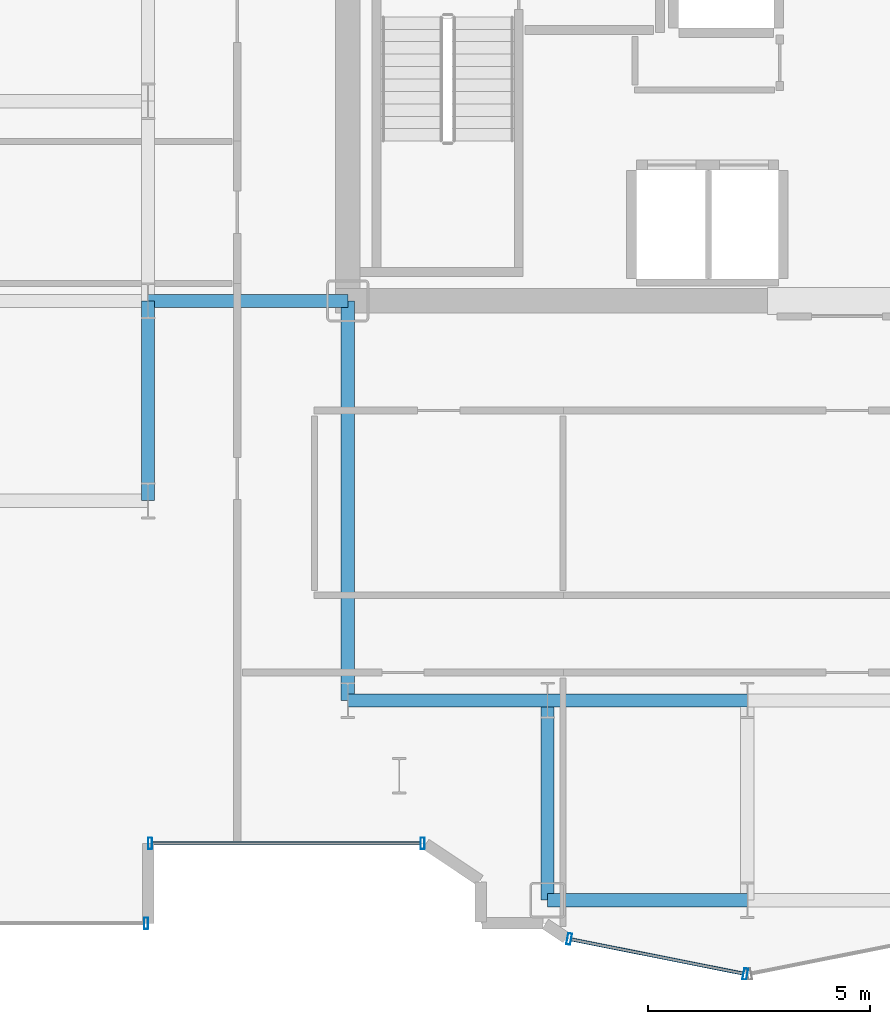
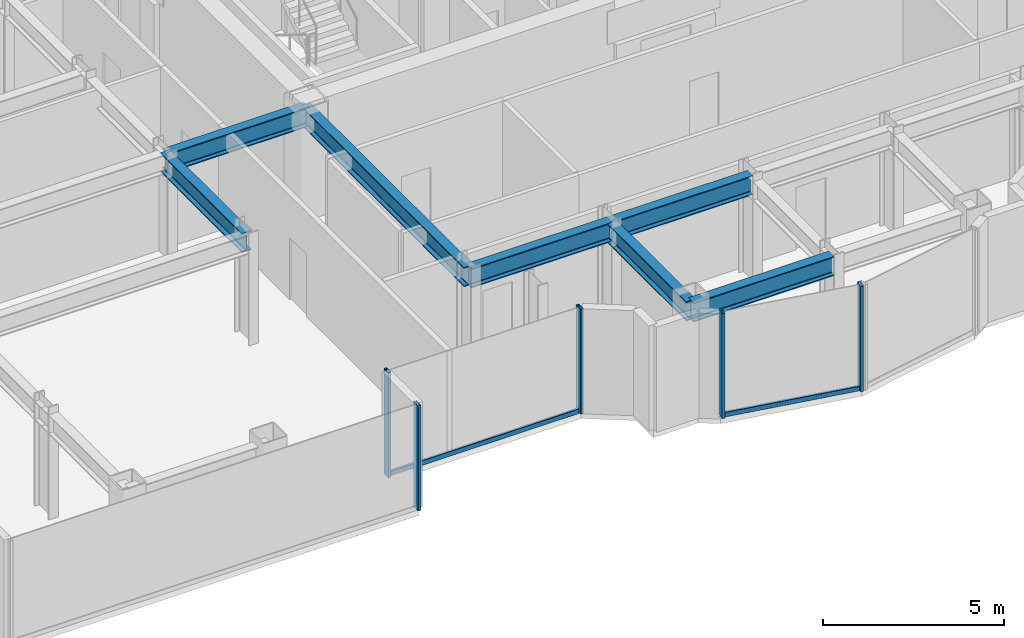
# One storey, part 5 of 27: 7 beams, 7 members, 3 elements without a shape of their own.
"""IFC4 building model written with IfcOpenShell, lengths in metres."""

from ifc_helpers import new_model, si_unit, direction, frame, origin, origin_2d, place, context, subcontext, project, spatial, hollow_rectangle, i_section, extrude, source, transform, mapped, material, layer, layer_set, material_profile, profile_set, type_object, element, aggregate, save


model = new_model("IFC4")

# Units and contexts
model_context = context("Model", 3, precision=1e-05, world=origin(), true_north=direction((0.0, 1.0)))
body_context = subcontext(model_context, "Body", "Model", "MODEL_VIEW")
ifc_project = project(units=[si_unit("LENGTHUNIT", "METRE"), si_unit("AREAUNIT", "SQUARE_METRE"), si_unit("VOLUMEUNIT", "CUBIC_METRE"), si_unit("PLANEANGLEUNIT", "RADIAN"), si_unit("MASSUNIT", "GRAM", prefix="KILO")], contexts=[model_context])

# Site, building, storey
site_placement = place(None, origin())
site = spatial("IfcSite", under=ifc_project, at=site_placement, CompositionType="ELEMENT")
building_placement = place(site_placement, origin())
building = spatial("IfcBuilding", under=site, at=building_placement, Name="Nefas-Gora Pilgrimage Tower", CompositionType="ELEMENT")
storey_placement = place(building_placement, frame((0.0, 0.0, 183.0)))
storey = spatial("IfcBuildingStorey", under=building, at=storey_placement, Name="L45", CompositionType="ELEMENT", Elevation=183.0)

# Beams
ifc_material_1 = material(Name="Steel S355", Category="steel")
ifc_material_profile_1 = material_profile(ifc_material_1, i_section(OverallWidth=0.300048828125, OverallDepth=0.64990234375, WebThickness=0.01611328125, FlangeThickness=0.031005859375, FilletRadius=0.027099609375, at=origin_2d()), Name="HEB 650")
ifc_profile_set_1 = profile_set([ifc_material_profile_1], Name="Steel S355")
beam_type = type_object("IfcBeamType", Name="BM-GIR-HEB650", PredefinedType="BEAM", material=ifc_profile_set_1)
shared_shape_1 = source(origin(), body_context, "Body", "SweptSolid", [
    extrude(i_section(OverallWidth=0.300048828125, OverallDepth=0.64990234375, WebThickness=0.01611328125, FlangeThickness=0.031005859375, FilletRadius=0.027099609375, at=origin_2d()), origin(), (0.0, 0.0, 1.0), 9.0),
])
beam_placement = place(storey_placement, frame((-11.25, -18.0, 3.22509765625), z_axis=(0.0, 1.0, 0.0), x_axis=(-1.0, 0.0, 0.0)))
element("IfcBeam", 1, at=beam_placement, inside=storey, type_object=beam_type, Name="L45 G-03 beam", PredefinedType="BEAM", context=body_context, shape_type="MappedRepresentation", body=[
    mapped(shared_shape_1, transform((0.0, 0.0, 0.0), x_axis=(1.0, 0.0, 0.0), y_axis=(0.0, 1.0, 0.0), z_axis=(0.0, 0.0, 1.0), scale=1.0)),
])
shared_shape_2 = source(origin(), body_context, "Body", "SweptSolid", [
    extrude(i_section(OverallWidth=0.300048828125, OverallDepth=0.64990234375, WebThickness=0.01611328125, FlangeThickness=0.031005859375, FilletRadius=0.027099609375, at=origin_2d()), origin(), (0.0, 0.0, 1.0), 4.5),
])
for number, where, z_axis, x_axis, name in (
    (2, (-15.75, -13.5, 3.22509765625), (0.0, 1.0, 0.0), (-1.0, 0.0, 0.0), "L45 G-03 beam"),
    (3, (-15.75, -9.0, 3.22509765625), (1.0, 0.0, 0.0), (0.0, 1.0, 0.0), "L45 G-03 beam"),
    (4, (-11.25, -18.0, 3.22509765625), (1.0, 0.0, 0.0), (0.0, 1.0, 0.0), "L45 G-03 beam"),
    (5, (-6.75, -22.5, 3.22509765625), (0.0, 1.0, 0.0), (-1.0, 0.0, 0.0), "L45 G-03 beam"),
    (6, (-6.75, -22.5, 3.22509765625), (1.0, 0.0, 0.0), (0.0, 1.0, 0.0), "L45 G-03 beam"),
    (7, (-6.75, -18.0, 3.22509765625), (1.0, 0.0, 0.0), (0.0, 1.0, 0.0), "L45 G-03 beam"),
):
    element("IfcBeam", number, at=place(storey_placement, frame(where, z_axis=z_axis, x_axis=x_axis)), inside=storey, type_object=beam_type, Name=name, PredefinedType="BEAM", context=body_context, shape_type="MappedRepresentation", body=[
        mapped(shared_shape_2, transform((0.0, 0.0, 0.0), x_axis=(1.0, 0.0, 0.0), y_axis=(0.0, 1.0, 0.0), z_axis=(0.0, 0.0, 1.0), scale=1.0)),
    ])

# Curtain wall, members
ifc_material_2 = material(Name="Dark ceramic-fritted solar-control aluminium-glass curtain wall", Category="aluminium")
ifc_layer_1 = layer(ifc_material_2, 0.219970703125)
ifc_layer_set_1 = layer_set([ifc_layer_1], Name="Dark ceramic-fritted solar-control aluminium-glass curtain wall")
curtain_wall_type_1 = type_object("IfcCurtainWallType", Name="CW-SYS-5", PredefinedType="NOTDEFINED", material=ifc_layer_set_1)
curtain_wall_1_placement = place(storey_placement, origin())
curtain_wall_1 = element("IfcCurtainWall", 8, at=curtain_wall_1_placement, inside=storey, type_object=curtain_wall_type_1, Name="L45 Unitised Curtain Wall CW5", PredefinedType="NOTDEFINED")
ifc_material_3 = material(Name="Anodised architectural aluminium", Category="aluminium")
ifc_material_profile_2 = material_profile(ifc_material_3, hollow_rectangle(XDim=0.090087890625, YDim=0.260009765625, WallThickness=0.006103515625, InnerFilletRadius=0.006103515625, OuterFilletRadius=0.011962890625, at=origin_2d()), Name="ALU MULLION 90x260")
ifc_profile_set_2 = profile_set([ifc_material_profile_2], Name="Anodised architectural aluminium")
member_type_1 = type_object("IfcMemberType", Name="CWM-MUL-5", PredefinedType="MULLION", material=ifc_profile_set_2)
shared_shape_3 = source(origin(), body_context, "Body", "SweptSolid", [
    extrude(hollow_rectangle(XDim=0.090087890625, YDim=0.260009765625, WallThickness=0.006103515625, InnerFilletRadius=0.006103515625, OuterFilletRadius=0.011962890625, at=origin_2d()), origin(), (0.0, 0.0, 1.0), 3.550048828125),
])
member_1_placement = place(storey_placement, frame((-15.705078125, -21.219970703125, 0.0), z_axis=(0.0, 0.0, 1.0), x_axis=(1.0, 0.0, 0.0)))
member_1 = element("IfcMember", 9, at=member_1_placement, type_object=member_type_1, Name="CW5 Mullion 1", PredefinedType="MULLION", context=body_context, shape_type="MappedRepresentation", body=[
    mapped(shared_shape_3, transform((0.0, 0.0, 0.0), x_axis=(1.0, 0.0, 0.0), y_axis=(0.0, 1.0, 0.0), z_axis=(0.0, 0.0, 1.0), scale=1.0)),
])
member_2_placement = place(storey_placement, frame((-9.56298828125, -21.219970703125, 0.0), z_axis=(0.0, 0.0, 1.0), x_axis=(1.0, 0.0, 0.0)))
member_2 = element("IfcMember", 10, at=member_2_placement, type_object=member_type_1, Name="CW5 Mullion 2", PredefinedType="MULLION", context=body_context, shape_type="MappedRepresentation", body=[
    mapped(shared_shape_3, transform((0.0, 0.0, 0.0), x_axis=(1.0, 0.0, 0.0), y_axis=(0.0, 1.0, 0.0), z_axis=(0.0, 0.0, 1.0), scale=1.0)),
])

curtain_wall_2_placement = place(storey_placement, origin())
curtain_wall_2 = element("IfcCurtainWall", 11, at=curtain_wall_2_placement, inside=storey, type_object=curtain_wall_type_1, Name="L45 Unitised Curtain Wall CW5", PredefinedType="NOTDEFINED")
member_3_placement = place(storey_placement, frame((-6.26318359375, -23.3740234375, 0.0), z_axis=(0.0, 0.0, 1.0), x_axis=(0.980782896852, -0.195102304554, 0.0)))
member_3 = element("IfcMember", 12, at=member_3_placement, type_object=member_type_1, Name="CW5 Mullion 1", PredefinedType="MULLION", context=body_context, shape_type="MappedRepresentation", body=[
    mapped(shared_shape_3, transform((0.0, 0.0, 0.0), x_axis=(1.0, 0.0, 0.0), y_axis=(0.0, 1.0, 0.0), z_axis=(0.0, 0.0, 1.0), scale=1.0)),
])
member_4_placement = place(storey_placement, frame((-2.294189453125, -24.16357421875, 0.0), z_axis=(0.0, 0.0, 1.0), x_axis=(0.980782896852, -0.195102304554, 0.0)))
member_4 = element("IfcMember", 13, at=member_4_placement, type_object=member_type_1, Name="CW5 Mullion 2", PredefinedType="MULLION", context=body_context, shape_type="MappedRepresentation", body=[
    mapped(shared_shape_3, transform((0.0, 0.0, 0.0), x_axis=(1.0, 0.0, 0.0), y_axis=(0.0, 1.0, 0.0), z_axis=(0.0, 0.0, 1.0), scale=1.0)),
])

# Member
ifc_material_profile_3 = material_profile(ifc_material_3, hollow_rectangle(XDim=0.080078125, YDim=0.159912109375, WallThickness=0.00439453125, InnerFilletRadius=0.00439453125, OuterFilletRadius=0.009033203125, at=origin_2d()), Name="ALU TRANSOM 80x160")
ifc_profile_set_3 = profile_set([ifc_material_profile_3], Name="Anodised architectural aluminium")
member_type_2 = type_object("IfcMemberType", Name="CWM-TRN-5", PredefinedType="USERDEFINED", material=ifc_profile_set_3)
shared_shape_4 = source(origin(), body_context, "Body", "SweptSolid", [
    extrude(hollow_rectangle(XDim=0.080078125, YDim=0.159912109375, WallThickness=0.00439453125, InnerFilletRadius=0.00439453125, OuterFilletRadius=0.009033203125, at=origin_2d()), origin(), (0.0, 0.0, 1.0), 6.052001953125),
])
member_5_placement = place(storey_placement, frame((-15.659912109375, -21.219970703125, 0.050048828125), z_axis=(1.0, 0.0, 0.0), x_axis=(0.0, 1.0, 0.0)))
member_5 = element("IfcMember", 14, at=member_5_placement, type_object=member_type_2, Name="CW5 Spandrel Transom", ObjectType="TRANSOM", PredefinedType="USERDEFINED", context=body_context, shape_type="MappedRepresentation", body=[
    mapped(shared_shape_4, transform((0.0, 0.0, 0.0), x_axis=(1.0, 0.0, 0.0), y_axis=(0.0, 1.0, 0.0), z_axis=(0.0, 0.0, 1.0), scale=1.0)),
])

aggregate(curtain_wall_1, [member_1, member_2, member_5])

shared_shape_5 = source(origin(), body_context, "Body", "SweptSolid", [
    extrude(hollow_rectangle(XDim=0.080078125, YDim=0.159912109375, WallThickness=0.00439453125, InnerFilletRadius=0.00439453125, OuterFilletRadius=0.009033203125, at=origin_2d()), origin(), (0.0, 0.0, 1.0), 3.95654296875),
])
member_6_placement = place(storey_placement, frame((-6.218994140625, -23.3828125, 0.050048828125), z_axis=(0.980781880918, -0.195107411605, 0.0), x_axis=(0.195107411605, 0.980781880918, 0.0)))
member_6 = element("IfcMember", 15, at=member_6_placement, type_object=member_type_2, Name="CW5 Spandrel Transom", ObjectType="TRANSOM", PredefinedType="USERDEFINED", context=body_context, shape_type="MappedRepresentation", body=[
    mapped(shared_shape_5, transform((0.0, 0.0, 0.0), x_axis=(1.0, 0.0, 0.0), y_axis=(0.0, 1.0, 0.0), z_axis=(0.0, 0.0, 1.0), scale=1.0)),
])

aggregate(curtain_wall_2, [member_3, member_4, member_6])

# Curtain wall, member
ifc_layer_2 = layer(ifc_material_2, 0.219970703125)
ifc_layer_set_2 = layer_set([ifc_layer_2], Name="Dark ceramic-fritted solar-control aluminium-glass curtain wall")
curtain_wall_type_2 = type_object("IfcCurtainWallType", Name="CW-SYS-3", PredefinedType="NOTDEFINED", material=ifc_layer_set_2)
curtain_wall_3_placement = place(storey_placement, origin())
curtain_wall_3 = element("IfcCurtainWall", 16, at=curtain_wall_3_placement, inside=storey, type_object=curtain_wall_type_2, Name="L45 Unitised Curtain Wall CW3", PredefinedType="NOTDEFINED")
ifc_material_profile_4 = material_profile(ifc_material_3, hollow_rectangle(XDim=0.090087890625, YDim=0.260009765625, WallThickness=0.006103515625, InnerFilletRadius=0.006103515625, OuterFilletRadius=0.011962890625, at=origin_2d()), Name="ALU MULLION 90x260")
ifc_profile_set_4 = profile_set([ifc_material_profile_4], Name="Anodised architectural aluminium")
member_type_3 = type_object("IfcMemberType", Name="CWM-MUL-3", PredefinedType="MULLION", material=ifc_profile_set_4)
shared_shape_6 = source(origin(), body_context, "Body", "SweptSolid", [
    extrude(hollow_rectangle(XDim=0.090087890625, YDim=0.260009765625, WallThickness=0.006103515625, InnerFilletRadius=0.006103515625, OuterFilletRadius=0.011962890625, at=origin_2d()), origin(), (0.0, 0.0, 1.0), 3.550048828125),
])
member_7_placement = place(storey_placement, frame((-15.794921875, -23.02001953125, 0.0), z_axis=(0.0, 0.0, 1.0), x_axis=(1.0, 0.0, 0.0)))
member_7 = element("IfcMember", 17, at=member_7_placement, type_object=member_type_3, Name="CW3 Mullion 2", PredefinedType="MULLION", context=body_context, shape_type="MappedRepresentation", body=[
    mapped(shared_shape_6, transform((0.0, 0.0, 0.0), x_axis=(1.0, 0.0, 0.0), y_axis=(0.0, 1.0, 0.0), z_axis=(0.0, 0.0, 1.0), scale=1.0)),
])
aggregate(curtain_wall_3, [member_7])

save(model, "model.ifc")
